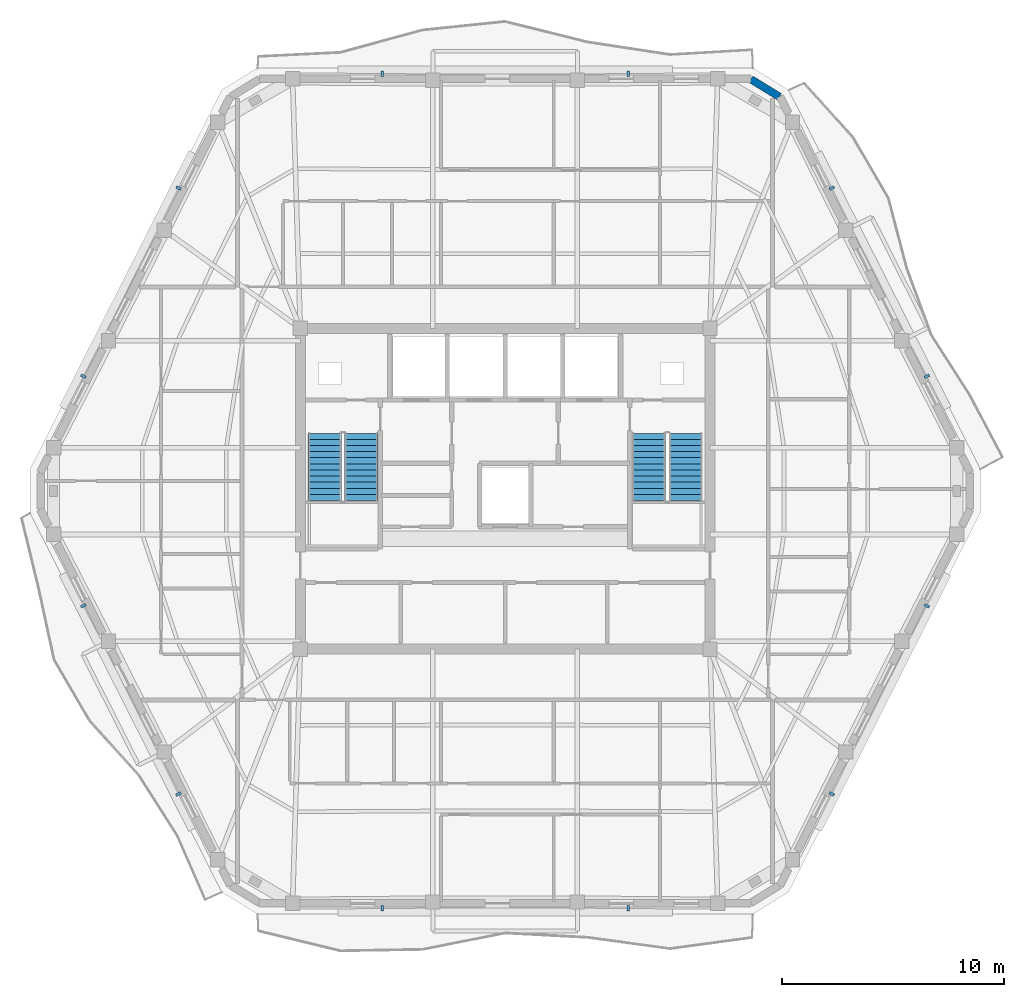
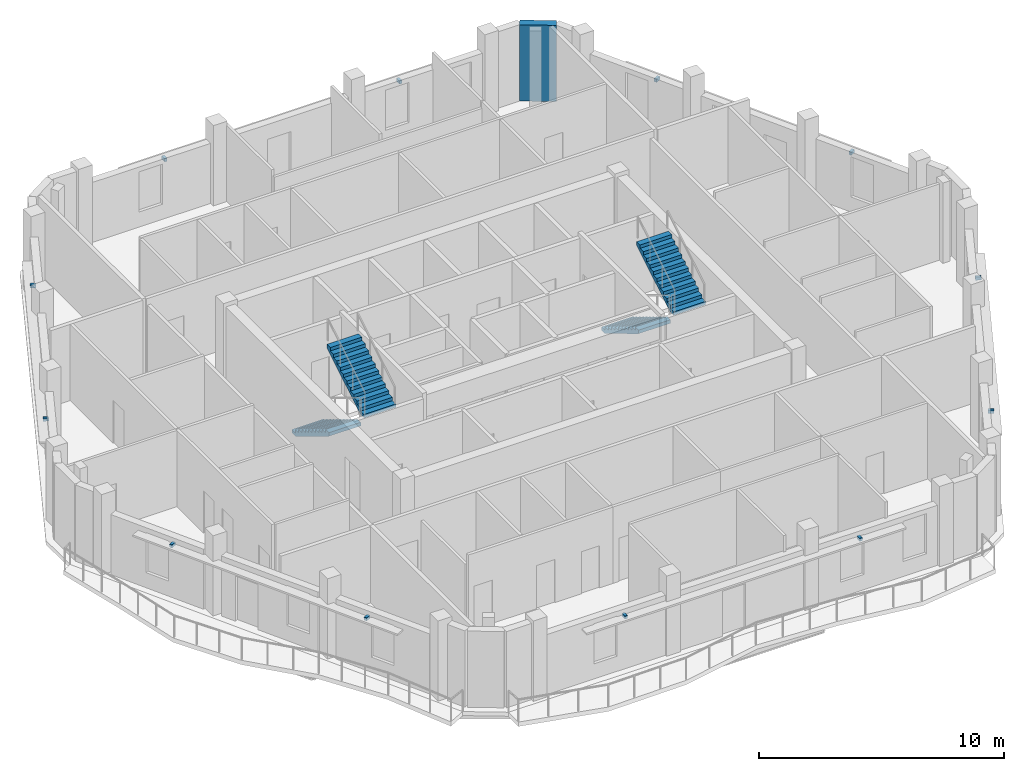
# One storey, part 8 of 11: 12 discrete accessories, 4 stair flights, 1 wall, 2 elements without a shape of their own.
"""IFC4 building model written with IfcOpenShell, lengths in metres."""

from ifc_helpers import new_model, si_unit, direction, frame, frame_2d, origin, origin_2d, place, context, subcontext, project, spatial, polyline, rectangle, outline, extrude, material, layer, layer_set, type_object, element, aggregate, save


model = new_model("IFC4")

# Units and contexts
model_context = context("Model", 3, precision=1e-05, world=origin(), true_north=direction((0.0, 1.0)))
body_context = subcontext(model_context, "Body", "Model", "MODEL_VIEW")
ifc_project = project(units=[si_unit("LENGTHUNIT", "METRE"), si_unit("AREAUNIT", "SQUARE_METRE"), si_unit("VOLUMEUNIT", "CUBIC_METRE"), si_unit("PLANEANGLEUNIT", "RADIAN"), si_unit("MASSUNIT", "GRAM", prefix="KILO")], contexts=[model_context])

# Site, building, storey
site_placement = place(None, origin())
site = spatial("IfcSite", under=ifc_project, at=site_placement, CompositionType="ELEMENT")
building_placement = place(site_placement, origin())
building = spatial("IfcBuilding", under=site, at=building_placement, Name="Cinnabar Lancet Tower", CompositionType="ELEMENT")
storey_placement = place(building_placement, frame((0.0, 0.0, 291.5)))
storey = spatial("IfcBuildingStorey", under=building, at=storey_placement, Name="L77", CompositionType="ELEMENT", Elevation=291.5)

# Wall
ifc_material_1 = material(Name="Cinnabar red clay brick", Category="masonry")
ifc_layer = layer(ifc_material_1, 0.340087890625)
ifc_layer_set = layer_set([ifc_layer], Name="Cinnabar red clay brick")
wall_type = type_object("IfcWallType", Name="ENV-WL-BRK-RED-340", PredefinedType="STANDARD", material=ifc_layer_set)
wall_placement = place(storey_placement, frame((44.7529296875, 43.554931640625, 0.0), z_axis=(0.0, 0.0, 1.0), x_axis=(-0.851680557619, 0.52406128246, 0.0)))
element("IfcWall", 1, at=wall_placement, inside=storey, type_object=wall_type, Name="L77 Chamfered Corner Brick Pier 4.1", PredefinedType="STANDARD", context=body_context, shape_type="SweptSolid", body=[
    extrude(rectangle(XDim=1.507568359375, YDim=0.340087890625, at=frame_2d((0.75390625, 0.0))), origin(), (0.0, 0.0, 1.0), 3.800048828125),
])

# Stair, stair flights
ifc_material_2 = material(Name="Concrete C40/50", Category="concrete")
stair_type = type_object("IfcStairType", Name="ST-CORE", PredefinedType="HALF_TURN_STAIR", material=ifc_material_2)
stair_1_placement = place(storey_placement, origin())
stair_1 = element("IfcStair", 2, at=stair_1_placement, inside=storey, type_object=stair_type, Name="L77 ST-1", PredefinedType="HALF_TURN_STAIR")
ifc_material_3 = material(Name="Concrete C40/50", Category="concrete")
stair_flight_type = type_object("IfcStairFlightType", Name="FLIGHT-CORE", PredefinedType="STRAIGHT", material=ifc_material_3)
stair_flight_1_placement = place(storey_placement, frame((24.27490234375, 28.39990234375, 0.0), z_axis=(0.0, 0.0, 1.0), x_axis=(0.0, -1.0, 0.0)))
stair_flight_1 = element("IfcStairFlight", 3, at=stair_flight_1_placement, type_object=stair_flight_type, Name="ST-1 flight 1", NumberOfRisers=12, NumberOfTreads=11, PredefinedType="STRAIGHT", RiserHeight=0.166666667, TreadLength=0.275, context=body_context, shape_type="SweptSolid", body=[
    extrude(outline(polyline([(0.0, 0.0), (0.0, 0.166748046875), (0.27490234375, 0.166748046875), (0.27490234375, 0.333251953125), (0.550048828125, 0.333251953125), (0.550048828125, 0.5), (0.824951171875, 0.5), (0.824951171875, 0.666748046875), (1.10009765625, 0.666748046875), (1.10009765625, 0.833251953125), (1.375, 0.833251953125), (1.375, 1.0), (1.64990234375, 1.0), (1.64990234375, 1.166748046875), (1.925048828125, 1.166748046875), (1.925048828125, 1.333251953125), (2.199951171875, 1.333251953125), (2.199951171875, 1.5), (2.47509765625, 1.5), (2.47509765625, 1.666748046875), (2.75, 1.666748046875), (2.75, 1.833251953125), (3.02490234375, 1.833251953125), (3.02490234375, 2.0), (3.02490234375, 1.657958984375), (0.289306640625, 0.0), (0.0, 0.0)])), frame((0.0, 0.75, 0.0), z_axis=(0.0, -1.0, 0.0), x_axis=(1.0, 0.0, 0.0)), (0.0, 0.0, 1.0), 1.5),
])
stair_flight_2_placement = place(storey_placement, frame((25.925048828125, 25.375, 2.0), z_axis=(0.0, 0.0, 1.0), x_axis=(0.0, 1.0, 0.0)))
stair_flight_2 = element("IfcStairFlight", 4, at=stair_flight_2_placement, type_object=stair_flight_type, Name="ST-1 flight 2", NumberOfRisers=12, NumberOfTreads=11, PredefinedType="STRAIGHT", RiserHeight=0.166666667, TreadLength=0.275, context=body_context, shape_type="SweptSolid", body=[
    extrude(outline(polyline([(0.0, 0.0), (0.0, 0.166748046875), (0.27490234375, 0.166748046875), (0.27490234375, 0.333251953125), (0.550048828125, 0.333251953125), (0.550048828125, 0.5), (0.824951171875, 0.5), (0.824951171875, 0.666748046875), (1.10009765625, 0.666748046875), (1.10009765625, 0.833251953125), (1.375, 0.833251953125), (1.375, 1.0), (1.64990234375, 1.0), (1.64990234375, 1.166748046875), (1.925048828125, 1.166748046875), (1.925048828125, 1.333251953125), (2.199951171875, 1.333251953125), (2.199951171875, 1.5), (2.47509765625, 1.5), (2.47509765625, 1.666748046875), (2.75, 1.666748046875), (2.75, 1.833251953125), (3.02490234375, 1.833251953125), (3.02490234375, 2.0), (3.02490234375, 1.657958984375), (0.289306640625, 0.0), (0.0, 0.0)])), frame((0.0, 0.75, 0.0), z_axis=(0.0, -1.0, 0.0), x_axis=(1.0, 0.0, 0.0)), (0.0, 0.0, 1.0), 1.5),
])
aggregate(stair_1, [stair_flight_1, stair_flight_2])

stair_2_placement = place(storey_placement, origin())
stair_2 = element("IfcStair", 5, at=stair_2_placement, inside=storey, type_object=stair_type, Name="L77 ST-2", PredefinedType="HALF_TURN_STAIR")
stair_flight_3_placement = place(storey_placement, frame((38.875, 28.39990234375, 0.0), z_axis=(0.0, 0.0, 1.0), x_axis=(0.0, -1.0, 0.0)))
stair_flight_3 = element("IfcStairFlight", 6, at=stair_flight_3_placement, type_object=stair_flight_type, Name="ST-2 flight 1", NumberOfRisers=12, NumberOfTreads=11, PredefinedType="STRAIGHT", RiserHeight=0.166666667, TreadLength=0.275, context=body_context, shape_type="SweptSolid", body=[
    extrude(outline(polyline([(0.0, 0.0), (0.0, 0.166748046875), (0.27490234375, 0.166748046875), (0.27490234375, 0.333251953125), (0.550048828125, 0.333251953125), (0.550048828125, 0.5), (0.824951171875, 0.5), (0.824951171875, 0.666748046875), (1.10009765625, 0.666748046875), (1.10009765625, 0.833251953125), (1.375, 0.833251953125), (1.375, 1.0), (1.64990234375, 1.0), (1.64990234375, 1.166748046875), (1.925048828125, 1.166748046875), (1.925048828125, 1.333251953125), (2.199951171875, 1.333251953125), (2.199951171875, 1.5), (2.47509765625, 1.5), (2.47509765625, 1.666748046875), (2.75, 1.666748046875), (2.75, 1.833251953125), (3.02490234375, 1.833251953125), (3.02490234375, 2.0), (3.02490234375, 1.657958984375), (0.289306640625, 0.0), (0.0, 0.0)])), frame((0.0, 0.75, 0.0), z_axis=(0.0, -1.0, 0.0), x_axis=(1.0, 0.0, 0.0)), (0.0, 0.0, 1.0), 1.5),
])
stair_flight_4_placement = place(storey_placement, frame((40.52490234375, 25.375, 2.0), z_axis=(0.0, 0.0, 1.0), x_axis=(0.0, 1.0, 0.0)))
stair_flight_4 = element("IfcStairFlight", 7, at=stair_flight_4_placement, type_object=stair_flight_type, Name="ST-2 flight 2", NumberOfRisers=12, NumberOfTreads=11, PredefinedType="STRAIGHT", RiserHeight=0.166666667, TreadLength=0.275, context=body_context, shape_type="SweptSolid", body=[
    extrude(outline(polyline([(0.0, 0.0), (0.0, 0.166748046875), (0.27490234375, 0.166748046875), (0.27490234375, 0.333251953125), (0.550048828125, 0.333251953125), (0.550048828125, 0.5), (0.824951171875, 0.5), (0.824951171875, 0.666748046875), (1.10009765625, 0.666748046875), (1.10009765625, 0.833251953125), (1.375, 0.833251953125), (1.375, 1.0), (1.64990234375, 1.0), (1.64990234375, 1.166748046875), (1.925048828125, 1.166748046875), (1.925048828125, 1.333251953125), (2.199951171875, 1.333251953125), (2.199951171875, 1.5), (2.47509765625, 1.5), (2.47509765625, 1.666748046875), (2.75, 1.666748046875), (2.75, 1.833251953125), (3.02490234375, 1.833251953125), (3.02490234375, 2.0), (3.02490234375, 1.657958984375), (0.289306640625, 0.0), (0.0, 0.0)])), frame((0.0, 0.75, 0.0), z_axis=(0.0, -1.0, 0.0), x_axis=(1.0, 0.0, 0.0)), (0.0, 0.0, 1.0), 1.5),
])
aggregate(stair_2, [stair_flight_3, stair_flight_4])

# Discrete accessories
ifc_material_4 = material(Name="Stainless steel 316 facade fixing bracket", Category="steel")
discrete_accessory_type = type_object("IfcDiscreteAccessoryType", Name="ENV-ACC-BRK-180", PredefinedType="BRACKET", material=ifc_material_4)
for number, where, z_axis, x_axis, name in (
    (8, (26.863037109375, 7.010009765625, 2.60009765625), (0.0, 0.0, 1.0), (1.0, 0.0, 0.0), "L77 Face 1 Sunshade Bracket A"),
    (9, (37.93701171875, 7.010009765625, 2.60009765625), (0.0, 0.0, 1.0), (1.0, 0.0, 0.0), "L77 Face 1 Sunshade Bracket B"),
    (10, (47.10791015625, 12.157958984375, 2.60009765625), (0.0, 0.0, 1.0), (0.451375984307, 0.89233386173, 0.0), "L77 Face 2 Sunshade Bracket A"),
    (11, (51.39306640625, 20.6298828125, 2.60009765625), (0.0, 0.0, 1.0), (0.451375984307, 0.89233386173, 0.0), "L77 Face 2 Sunshade Bracket B"),
    (12, (51.39306640625, 30.969970703125, 2.60009765625), (0.0, 0.0, 1.0), (-0.451375984307, 0.89233386173, 0.0), "L77 Face 3 Sunshade Bracket A"),
    (13, (47.10791015625, 39.44189453125, 2.60009765625), (0.0, 0.0, 1.0), (-0.451375984307, 0.89233386173, 0.0), "L77 Face 3 Sunshade Bracket B"),
    (14, (37.93701171875, 44.590087890625, 2.60009765625), (0.0, 0.0, 1.0), (-1.0, 0.0, 0.0), "L77 Face 4 Sunshade Bracket A"),
    (15, (26.863037109375, 44.590087890625, 2.60009765625), (0.0, 0.0, 1.0), (-1.0, 0.0, 0.0), "L77 Face 4 Sunshade Bracket B"),
    (16, (17.69189453125, 39.44189453125, 2.60009765625), (0.0, 0.0, 1.0), (-0.451375984307, -0.89233386173, 0.0), "L77 Face 5 Sunshade Bracket A"),
    (17, (13.406982421875, 30.969970703125, 2.60009765625), (0.0, 0.0, 1.0), (-0.451375984307, -0.89233386173, 0.0), "L77 Face 5 Sunshade Bracket B"),
    (18, (13.406982421875, 20.6298828125, 2.60009765625), (0.0, 0.0, 1.0), (0.451375984307, -0.89233386173, 0.0), "L77 Face 6 Sunshade Bracket A"),
    (19, (17.69189453125, 12.157958984375, 2.60009765625), (0.0, 0.0, 1.0), (0.451375984307, -0.89233386173, 0.0), "L77 Face 6 Sunshade Bracket B"),
):
    element("IfcDiscreteAccessory", number, at=place(storey_placement, frame(where, z_axis=z_axis, x_axis=x_axis)), inside=storey, type_object=discrete_accessory_type, Name=name, PredefinedType="BRACKET", context=body_context, shape_type="SweptSolid", body=[
        extrude(rectangle(XDim=0.1201171875, YDim=0.239990234375, at=origin_2d()), origin(), (0.0, 0.0, 1.0), 0.159912109375),
    ])

save(model, "model.ifc")
